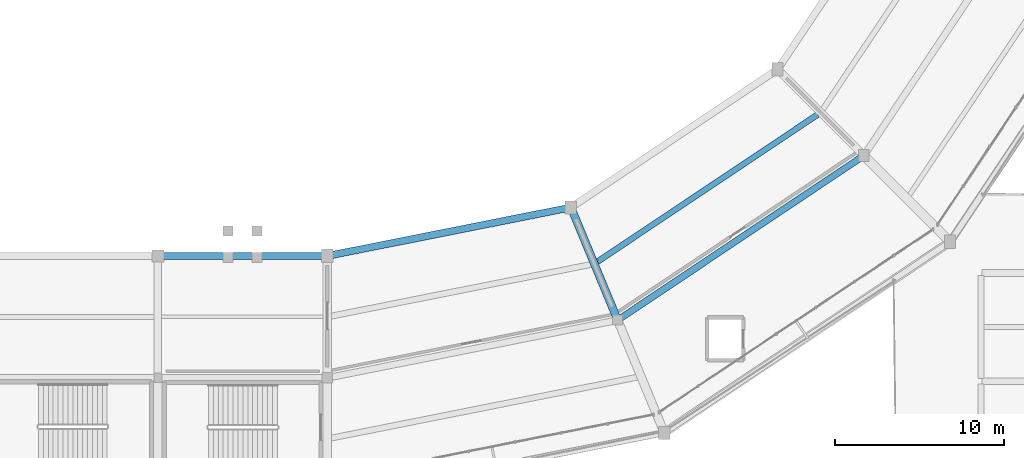
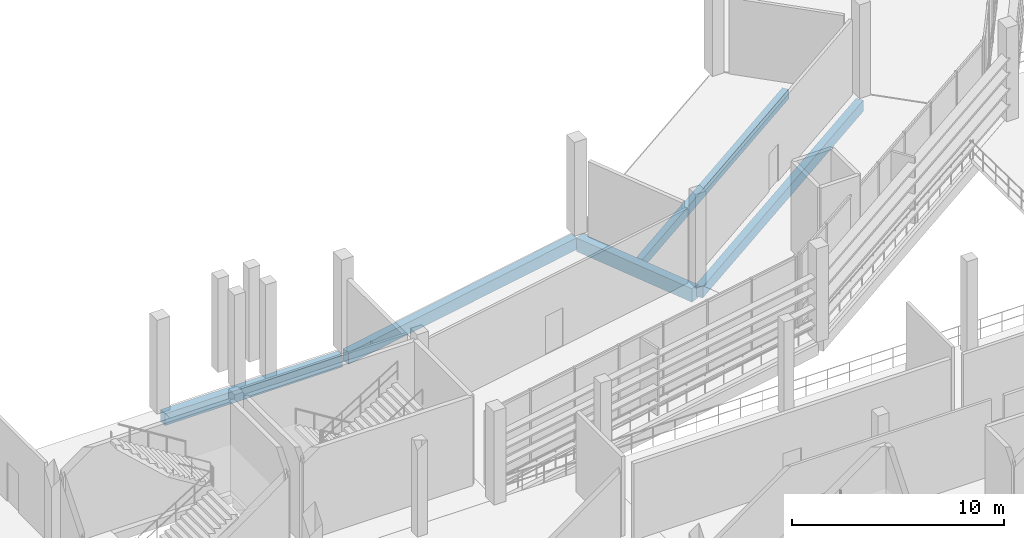
# One storey, part 35 of 111: 5 beams.
"""IFC4 building model written with IfcOpenShell, lengths in metres."""

from ifc_helpers import new_model, si_unit, direction, frame, origin, origin_2d, place, context, subcontext, project, spatial, rectangle, extrude, material, material_profile, profile_set, type_object, element, save


model = new_model("IFC4")

# Units and contexts
model_context = context("Model", 3, precision=1e-05, world=origin(), true_north=direction((0.0, 1.0)))
body_context = subcontext(model_context, "Body", "Model", "MODEL_VIEW")
ifc_project = project(units=[si_unit("LENGTHUNIT", "METRE"), si_unit("AREAUNIT", "SQUARE_METRE"), si_unit("VOLUMEUNIT", "CUBIC_METRE"), si_unit("PLANEANGLEUNIT", "RADIAN"), si_unit("MASSUNIT", "GRAM", prefix="KILO")], contexts=[model_context])

# Site, building, storey
site_placement = place(None, origin())
site = spatial("IfcSite", under=ifc_project, at=site_placement, CompositionType="ELEMENT")
building_placement = place(site_placement, origin())
building = spatial("IfcBuilding", under=site, at=building_placement, Name="Candeia Ridge Stadium", CompositionType="ELEMENT")
storey_placement = place(building_placement, frame((0.0, 0.0, 16.199951171875)))
storey = spatial("IfcBuildingStorey", under=building, at=storey_placement, Name="L03", CompositionType="ELEMENT", Elevation=16.199951171875)

# Beams
ifc_material = material(Name="Concrete C40/50", Category="concrete")
ifc_material_profile_1 = material_profile(ifc_material, rectangle(XDim=0.340087890625, YDim=0.5400390625, at=origin_2d()), Name="RC340x540", Category="concrete")
ifc_profile_set_1 = profile_set([ifc_material_profile_1], Name="Concrete C40/50")
beam_type_1 = type_object("IfcBeamType", Name="Floor Joist RC340x540", PredefinedType="JOIST", material=ifc_profile_set_1)
beam_1_placement = place(storey_placement, frame((156.951171875, 33.0595703125, -0.52001953125), z_axis=(0.831470752017, 0.555568527312, 0.0), x_axis=(-0.555568527312, 0.831470752017, 0.0)))
element("IfcBeam", 1, at=beam_1_placement, inside=storey, type_object=beam_type_1, Name="Concourse secondary joist BM-L03-0676", PredefinedType="JOIST", context=body_context, shape_type="SweptSolid", body=[
    extrude(rectangle(XDim=0.340087890625, YDim=0.5400390625, at=origin_2d()), origin(), (0.0, 0.0, 1.0), 15.63134765625),
])
ifc_material_profile_2 = material_profile(ifc_material, rectangle(XDim=0.389892578125, YDim=0.639892578125, at=origin_2d()), Name="RC390x640", Category="concrete")
ifc_profile_set_2 = profile_set([ifc_material_profile_2], Name="Concrete C40/50")
beam_type_2 = type_object("IfcBeamType", Name="Frame Girder RC390x640", PredefinedType="BEAM", material=ifc_profile_set_2)
beam_2_placement = place(storey_placement, frame((158.27734375, 29.698974609375, -0.570068359375), z_axis=(0.831467614091, 0.555573223542, 0.0), x_axis=(-0.555573223542, 0.831467614091, 0.0)))
element("IfcBeam", 2, at=beam_2_placement, inside=storey, type_object=beam_type_2, Name="Concourse spine girder BM-L03-0674", PredefinedType="BEAM", context=body_context, shape_type="SweptSolid", body=[
    extrude(rectangle(XDim=0.389892578125, YDim=0.639892578125, at=origin_2d()), origin(), (0.0, 0.0, 1.0), 17.16015625),
])
ifc_material_profile_3 = material_profile(ifc_material, rectangle(XDim=0.419921875, YDim=0.679931640625, at=origin_2d()), Name="RC420x680", Category="concrete")
ifc_profile_set_3 = profile_set([ifc_material_profile_3], Name="Concrete C40/50")
beam_type_3 = type_object("IfcBeamType", Name="Frame Girder RC420x680", PredefinedType="BEAM", material=ifc_profile_set_3)
beam_3_placement = place(storey_placement, frame((131.159912109375, 33.39990234375, -0.58984375), z_axis=(1.0, 0.0, 0.0), x_axis=(0.0, 1.0, 0.0)))
element("IfcBeam", 3, at=beam_3_placement, inside=storey, type_object=beam_type_3, Name="Bowl inner ring girder BM-L03-0664", PredefinedType="BEAM", context=body_context, shape_type="SweptSolid", body=[
    extrude(rectangle(XDim=0.419921875, YDim=0.679931640625, at=origin_2d()), origin(), (0.0, 0.0, 1.0), 9.68017578125),
])
beam_4_placement = place(storey_placement, frame((141.156982421875, 33.43115234375, -0.58984375), z_axis=(0.980783642657, 0.195098555341, 0.0), x_axis=(-0.195098555341, 0.980783642657, 0.0)))
element("IfcBeam", 4, at=beam_4_placement, inside=storey, type_object=beam_type_3, Name="Bowl inner ring girder BM-L03-0668", PredefinedType="BEAM", context=body_context, shape_type="SweptSolid", body=[
    extrude(rectangle(XDim=0.419921875, YDim=0.679931640625, at=origin_2d()), origin(), (0.0, 0.0, 1.0), 14.350830078125),
])
ifc_material_profile_4 = material_profile(ifc_material, rectangle(XDim=0.4599609375, YDim=0.780029296875, at=origin_2d()), Name="RC460x780", Category="concrete")
ifc_profile_set_4 = profile_set([ifc_material_profile_4], Name="Concrete C40/50")
beam_type_4 = type_object("IfcBeamType", Name="Frame Girder RC460x780", PredefinedType="BEAM", material=ifc_profile_set_4)
beam_5_placement = place(storey_placement, frame((155.4501953125, 36.1142578125, -0.639892578125), z_axis=(0.382681914982, -0.923880161031, 0.0), x_axis=(0.923880161031, 0.382681914982, 0.0)))
element("IfcBeam", 5, at=beam_5_placement, inside=storey, type_object=beam_type_4, Name="Bowl radial girder BM-L03-0533", PredefinedType="BEAM", context=body_context, shape_type="SweptSolid", body=[
    extrude(rectangle(XDim=0.4599609375, YDim=0.780029296875, at=origin_2d()), origin(), (0.0, 0.0, 1.0), 6.8798828125),
])

save(model, "model.ifc")
